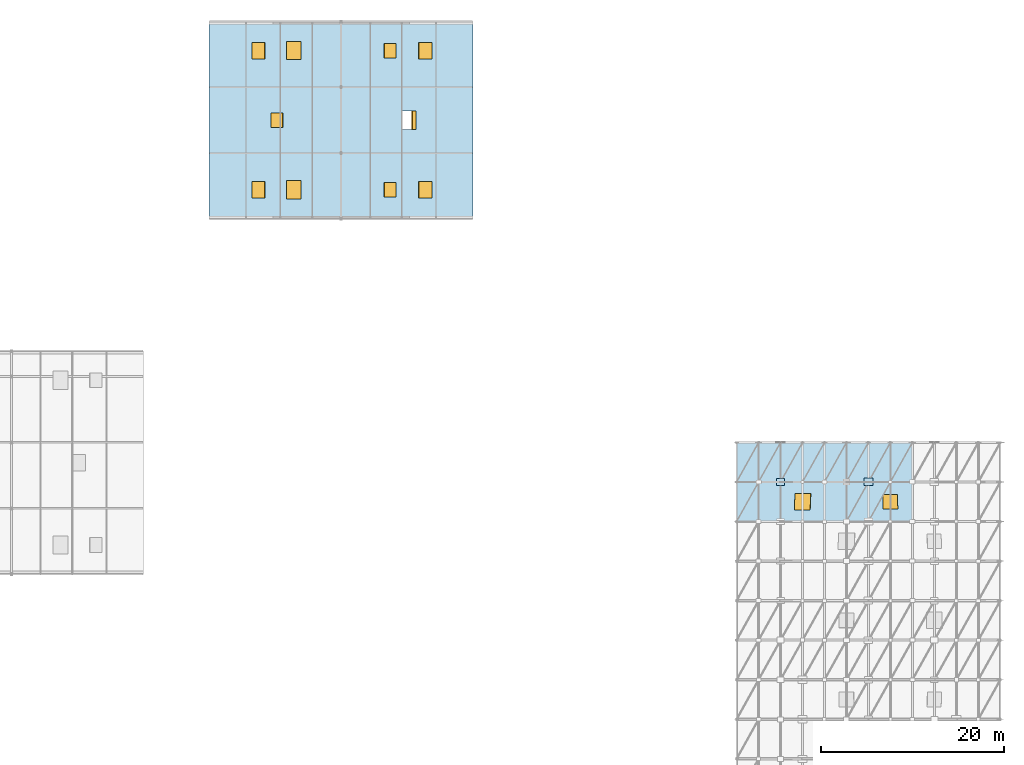
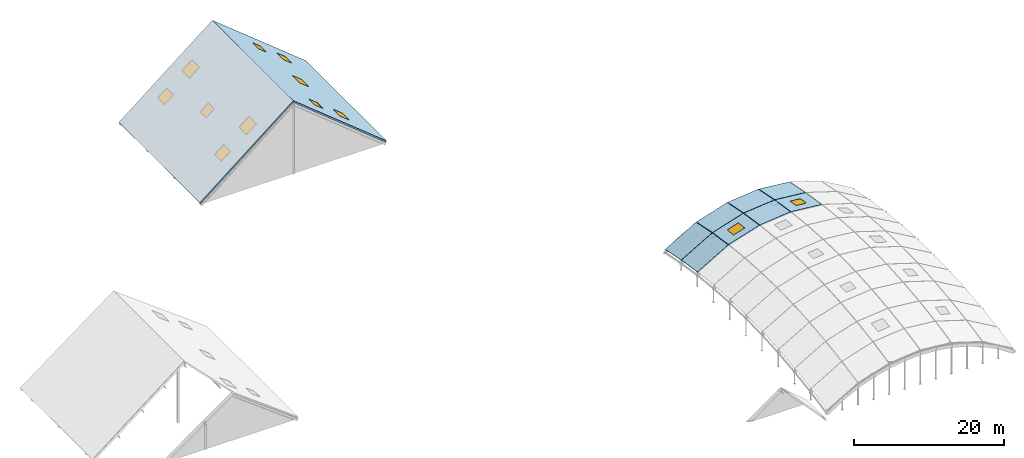
# One storey, part 24 of 35: 12 windows, 10 slabs, 2 plates, 12 openings.
"""IFC4 building model written with IfcOpenShell, lengths in metres."""

from ifc_helpers import new_model, si_unit, direction, frame, origin, origin_2d, place, context, subcontext, project, spatial, polyline, rectangle, outline, extrude, material, layer, layer_set, type_object, element, fill, save


model = new_model("IFC4")

# Units and contexts
model_context = context("Model", 3, precision=1e-05, world=origin(), true_north=direction((0.0, 1.0)))
body_context = subcontext(model_context, "Body", "Model", "MODEL_VIEW")
ifc_project = project(units=[si_unit("LENGTHUNIT", "METRE"), si_unit("AREAUNIT", "SQUARE_METRE"), si_unit("VOLUMEUNIT", "CUBIC_METRE"), si_unit("PLANEANGLEUNIT", "RADIAN"), si_unit("MASSUNIT", "GRAM", prefix="KILO")], contexts=[model_context])

# Site, building, storey
site_placement = place(None, origin())
site = spatial("IfcSite", under=ifc_project, at=site_placement, CompositionType="ELEMENT")
building_placement = place(site_placement, origin())
building = spatial("IfcBuilding", under=site, at=building_placement, Name="Zarrinpeak Specialist Clinic", CompositionType="ELEMENT")
storey_placement = place(building_placement, frame((0.0, 0.0, 31.60009765625)))
storey = spatial("IfcBuildingStorey", under=building, at=storey_placement, Name="RF", CompositionType="ELEMENT", Elevation=31.60009765625)

# Plates
ifc_material_1 = material(Name="Steel S355", Category="steel")
ifc_layer_1 = layer(ifc_material_1, 0.02099609375)
ifc_layer_set_1 = layer_set([ifc_layer_1], Name="Steel S355")
plate_type_1 = type_object("IfcPlateType", Name="PL-ND28", PredefinedType="SHEET", material=ifc_layer_set_1)
plate_1_placement = place(storey_placement, frame((98.39990234375, 67.679931640625, -13.9501953125), z_axis=(0.0, 0.0, 1.0), x_axis=(1.0, 0.0, 0.0)))
element("IfcPlate", 1, at=plate_1_placement, inside=storey, type_object=plate_type_1, Name="V3 Gridshell Hub Node Plate GSN-I02-J09", PredefinedType="SHEET", context=body_context, shape_type="SweptSolid", body=[
    extrude(rectangle(XDim=0.8779296875, YDim=0.716064453125, at=origin_2d()), origin(), (0.0, 0.0, 1.0), 0.02099609375),
])
ifc_layer_2 = layer(ifc_material_1, 0.02294921875)
ifc_layer_set_2 = layer_set([ifc_layer_2], Name="Steel S355")
plate_type_2 = type_object("IfcPlateType", Name="PL-ND34", PredefinedType="SHEET", material=ifc_layer_set_2)
plate_2_placement = place(storey_placement, frame((108.0, 67.679931640625, -11.947509765625), z_axis=(0.0, 0.0, 1.0), x_axis=(1.0, 0.0, 0.0)))
element("IfcPlate", 2, at=plate_2_placement, inside=storey, type_object=plate_type_2, Name="V3 Gridshell Hub Node Plate GSN-I06-J09", PredefinedType="SHEET", context=body_context, shape_type="SweptSolid", body=[
    extrude(rectangle(XDim=1.00390625, YDim=0.818115234375, at=origin_2d()), origin(), (0.0, 0.0, 1.0), 0.02294921875),
])

# Slab, opening, window
ifc_material_2 = material(Name="Precast concrete C40/50", Category="concrete")
ifc_layer_3 = layer(ifc_material_2, 0.1650390625)
ifc_layer_set_3 = layer_set([ifc_layer_3], Name="Precast concrete C40/50")
slab_type_1 = type_object("IfcSlabType", Name="SL-GS165", PredefinedType="ROOF", material=ifc_layer_set_3)
slab_1_placement = place(storey_placement, frame((98.431884765625, 63.3720703125, -12.7353515625), z_axis=(-0.298336454683, 0.146725332873, 0.943115600815), x_axis=(0.953434513091, 3.400593e-06, 0.301600114779)))
slab_1 = element("IfcSlab", 3, at=slab_1_placement, inside=storey, type_object=slab_type_1, Name="V3 Translational Gridshell Vault Roof Panel K01-J08", PredefinedType="ROOF", context=body_context, shape_type="SweptSolid", body=[
    extrude(outline(polyline([(0.0, 0.0), (4.967357037046617, -2.7755575615628914e-17), (4.765838561141658, 4.342884081244538), (-0.2015921087454809, 4.342918235055775), (0.0, 0.0)])), origin(), (0.0, 0.0, -1.0), 0.1650390625),
])
opening_1_placement = place(slab_1_placement, frame((2.383056640625, 2.17138671875, 0.0)))
opening_1 = element("IfcOpeningElement", 4, at=opening_1_placement, cuts=slab_1, Name="Opening SK-03", PredefinedType="OPENING", context=body_context, shape_type="SweptSolid", body=[
    extrude(rectangle(XDim=1.800048828125, YDim=1.800048828125, at=origin_2d()), frame((0.0, 0.0, 0.010009765625), z_axis=(0.0, 0.0, 1.0), x_axis=(1.0, 0.0, 0.0)), (0.0, 0.0, -1.0), 0.18505859375),
])
ifc_material_3 = material(Name="Thermally Broken Aluminium and Low-E Glazing", Category="aluminium")
window_type_1 = type_object("IfcWindowType", Name="WN-SKY180", PartitioningType="SINGLE_PANEL", PredefinedType="SKYLIGHT", material=ifc_material_3)
window_1_placement = place(opening_1_placement, frame((0.0, 0.0, -0.0048828125)))
window_1 = element("IfcWindow", 5, at=window_1_placement, inside=storey, type_object=window_type_1, Name="V3 Gridshell Vault Skylight SKY-GS-053", OverallHeight=1.800048828125, OverallWidth=1.800048828125, PartitioningType="SINGLE_PANEL", PredefinedType="SKYLIGHT", context=body_context, shape_type="SweptSolid", body=[
    extrude(rectangle(XDim=1.800048828125, YDim=1.800048828125, at=origin_2d()), origin(), (0.0, 0.0, -1.0), 0.06005859375),
])
fill(opening_1, window_1)

# Slabs
slab_2_placement = place(storey_placement, frame((98.431884765625, 67.69189453125, -13.407958984375), z_axis=(-0.296285619767, 0.187289929447, 0.936556092205), x_axis=(0.953427294255, 0.0, 0.301622934422)))
element("IfcSlab", 6, at=slab_2_placement, inside=storey, type_object=slab_type_1, Name="V3 Translational Gridshell Vault Roof Panel K01-J09", PredefinedType="ROOF", context=body_context, shape_type="SweptSolid", body=[
    extrude(outline(polyline([(0.0, 0.0), (4.9674306713386525, 0.0), (4.7082971004818175, 4.373533660275629), (-0.2591335708568345, 4.373533660275629), (0.0, 0.0)])), origin(), (0.0, 0.0, -1.0), 0.1650390625),
])
slab_3_placement = place(storey_placement, frame((103.23193359375, 63.3720703125, -11.22412109375), z_axis=(-0.099316237718, 0.152965858718, 0.98322821918), x_axis=(0.994937103117, -3.856861e-06, 0.100499556347)))
element("IfcSlab", 7, at=slab_3_placement, inside=storey, type_object=slab_type_1, Name="V3 Translational Gridshell Vault Roof Panel K02-J08", PredefinedType="ROOF", context=body_context, shape_type="SweptSolid", body=[
    extrude(outline(polyline([(0.0, 0.0), (4.760196287551281, 0.0), (4.6930000837885855, 4.347075205668389), (-0.06717166773819694, 4.347038049656353), (0.0, 0.0)])), origin(), (0.0, 0.0, -1.0), 0.1650390625),
])
slab_4_placement = place(storey_placement, frame((103.23193359375, 67.69189453125, -11.896484375), z_axis=(-0.098540940428, 0.19519362931, 0.975801788344), x_axis=(0.994939726955, 0.0, 0.100473577252)))
element("IfcSlab", 8, at=slab_4_placement, inside=storey, type_object=slab_type_1, Name="V3 Translational Gridshell Vault Roof Panel K02-J09", PredefinedType="ROOF", context=body_context, shape_type="SweptSolid", body=[
    extrude(outline(polyline([(0.0, 0.0), (4.760171753184925, 0.0), (4.6738272727342425, 4.380400789071614), (-0.08634448045068226, 4.380400789071614), (0.0, 0.0)])), origin(), (0.0, 0.0, -1.0), 0.1650390625),
])

# Slab, opening, window
slab_5_placement = place(storey_placement, frame((108.031982421875, 63.3720703125, -10.74560546875), z_axis=(0.099316237718, 0.152965858718, 0.98322821918), x_axis=(0.994937103117, 3.856861e-06, -0.100499556347)))
slab_5 = element("IfcSlab", 9, at=slab_5_placement, inside=storey, type_object=slab_type_1, Name="V3 Translational Gridshell Vault Roof Panel K03-J08", PredefinedType="ROOF", context=body_context, shape_type="SweptSolid", body=[
    extrude(outline(polyline([(0.0, 0.0), (4.760196287551281, 0.0), (4.827367955289478, 4.347038049656354), (0.0671962037626957, 4.347075205668389), (0.0, 0.0)])), origin(), (0.0, 0.0, -1.0), 0.1650390625),
])
opening_2_placement = place(slab_5_placement, frame((2.41357421875, 2.173583984375, 0.0)))
opening_2 = element("IfcOpeningElement", 10, at=opening_2_placement, cuts=slab_5, Name="Opening SK-01", PredefinedType="OPENING", context=body_context, shape_type="SweptSolid", body=[
    extrude(rectangle(XDim=1.60009765625, YDim=1.60009765625, at=origin_2d()), frame((0.0, 0.0, 0.010009765625), z_axis=(0.0, 0.0, 1.0), x_axis=(1.0, 0.0, 0.0)), (0.0, 0.0, -1.0), 0.18505859375),
])
window_type_2 = type_object("IfcWindowType", Name="WN-SKY160", PartitioningType="SINGLE_PANEL", PredefinedType="SKYLIGHT", material=ifc_material_3)
window_2_placement = place(opening_2_placement, frame((0.0, 0.0, -0.0048828125)))
window_2 = element("IfcWindow", 11, at=window_2_placement, inside=storey, type_object=window_type_2, Name="V3 Gridshell Vault Skylight SKY-GS-058", OverallHeight=1.60009765625, OverallWidth=1.60009765625, PartitioningType="SINGLE_PANEL", PredefinedType="SKYLIGHT", context=body_context, shape_type="SweptSolid", body=[
    extrude(rectangle(XDim=1.60009765625, YDim=1.60009765625, at=origin_2d()), origin(), (0.0, 0.0, -1.0), 0.06005859375),
])
fill(opening_2, window_2)

# Slabs
slab_6_placement = place(storey_placement, frame((108.031982421875, 67.69189453125, -11.418212890625), z_axis=(0.098540940428, 0.19519362931, 0.975801788344), x_axis=(0.994939726955, 0.0, -0.100473577252)))
element("IfcSlab", 12, at=slab_6_placement, inside=storey, type_object=slab_type_1, Name="V3 Translational Gridshell Vault Roof Panel K03-J09", PredefinedType="ROOF", context=body_context, shape_type="SweptSolid", body=[
    extrude(outline(polyline([(0.0, 0.0), (4.760171753184925, 0.0), (4.846516233635607, 4.380400789071614), (0.08634448045068226, 4.380400789071614), (0.0, 0.0)])), origin(), (0.0, 0.0, -1.0), 0.1650390625),
])
ifc_layer_4 = layer(ifc_material_2, 0.179931640625)
ifc_layer_set_4 = layer_set([ifc_layer_4], Name="Precast concrete C40/50")
slab_type_2 = type_object("IfcSlabType", Name="SL-GS180", PredefinedType="ROOF", material=ifc_layer_set_4)
slab_7_placement = place(storey_placement, frame((93.632080078125, 63.3720703125, -15.521728515625), z_axis=(-0.498818644652, 0.13323521209, 0.85640430756), x_axis=(0.864108140289, -2.541407e-06, 0.50330619098)))
element("IfcSlab", 13, at=slab_7_placement, inside=storey, type_object=slab_type_2, Name="V3 Translational Gridshell Vault Roof Panel K00-J08", PredefinedType="ROOF", context=body_context, shape_type="SweptSolid", body=[
    extrude(outline(polyline([(0.0, 0.0), (5.4806704973683145, 0.0), (5.14422101750945, 4.33455648532999), (-0.33632660237083195, 4.3345283778193355), (0.0, 0.0)])), origin(), (0.0, 0.0, -1.0), 0.179931640625),
])
slab_8_placement = place(storey_placement, frame((93.632080078125, 67.69189453125, -16.1943359375), z_axis=(-0.495953568903, 0.170301910626, 0.851485359081), x_axis=(0.864108031301, -3.229781e-06, 0.503306378094)))
element("IfcSlab", 14, at=slab_8_placement, inside=storey, type_object=slab_type_2, Name="V3 Translational Gridshell Vault Roof Panel K00-J09", PredefinedType="ROOF", context=body_context, shape_type="SweptSolid", body=[
    extrude(outline(polyline([(0.0, 0.0), (5.480670497379735, 5.551115123125783e-17), (5.048127703105575, 4.359847837083454), (-0.43241991674044533, 4.359811909923567), (0.0, 0.0)])), origin(), (0.0, 0.0, -1.0), 0.179931640625),
])

# Slab, openings, windows
ifc_material_4 = material(Name="Concrete C35/45", Category="concrete")
ifc_layer_5 = layer(ifc_material_4, 0.219970703125)
ifc_layer_set_5 = layer_set([ifc_layer_5], Name="Concrete C35/45")
slab_type_3 = type_object("IfcSlabType", Name="SL-ROOF220", PredefinedType="ROOF", material=ifc_layer_set_5)
slab_9_placement = place(storey_placement, frame((36.0, 96.39990234375, -4.11767578125), z_axis=(-0.627335320806, 0.0, 0.778749250574), x_axis=(0.778749250574, 0.0, 0.627335320806)))
slab_9 = element("IfcSlab", 15, at=slab_9_placement, inside=storey, type_object=slab_type_3, Name="V6 West Pitched Gable Roof Slab", PredefinedType="ROOF", context=body_context, shape_type="SweptSolid", body=[
    extrude(outline(polyline([(0.0, 0.0), (18.49106414309554, 0.0), (18.49106414309554, 21.60009765625), (0.0, 21.60009765625), (0.0, 0.0)])), origin(), (0.0, 0.0, -1.0), 0.219970703125),
])
opening_3_placement = place(slab_9_placement, frame((6.8828125, 3.2001953125, 0.0)))
opening_3 = element("IfcOpeningElement", 16, at=opening_3_placement, cuts=slab_9, Name="Opening SK-03", PredefinedType="OPENING", context=body_context, shape_type="SweptSolid", body=[
    extrude(rectangle(XDim=1.800048828125, YDim=1.800048828125, at=origin_2d()), frame((0.0, 0.0, 0.010009765625), z_axis=(0.0, 0.0, 1.0), x_axis=(1.0, 0.0, 0.0)), (0.0, 0.0, -1.0), 0.239990234375),
])
opening_4_placement = place(slab_9_placement, frame((11.8447265625, 3.2001953125, 0.0)))
opening_4 = element("IfcOpeningElement", 17, at=opening_4_placement, cuts=slab_9, Name="Opening SK-02", PredefinedType="OPENING", context=body_context, shape_type="SweptSolid", body=[
    extrude(rectangle(XDim=2.0, YDim=2.0, at=origin_2d()), frame((0.0, 0.0, 0.010009765625), z_axis=(0.0, 0.0, 1.0), x_axis=(1.0, 0.0, 0.0)), (0.0, 0.0, -1.0), 0.239990234375),
])
opening_5_placement = place(slab_9_placement, frame((9.48193359375, 10.800048828125, 0.0)))
opening_5 = element("IfcOpeningElement", 18, at=opening_5_placement, cuts=slab_9, Name="Opening SK-01", PredefinedType="OPENING", context=body_context, shape_type="SweptSolid", body=[
    extrude(rectangle(XDim=1.60009765625, YDim=1.60009765625, at=origin_2d()), frame((0.0, 0.0, 0.010009765625), z_axis=(0.0, 0.0, 1.0), x_axis=(1.0, 0.0, 0.0)), (0.0, 0.0, -1.0), 0.239990234375),
])
opening_6_placement = place(slab_9_placement, frame((6.8828125, 18.400146484375, 0.0)))
opening_6 = element("IfcOpeningElement", 19, at=opening_6_placement, cuts=slab_9, Name="Opening SK-03", PredefinedType="OPENING", context=body_context, shape_type="SweptSolid", body=[
    extrude(rectangle(XDim=1.800048828125, YDim=1.800048828125, at=origin_2d()), frame((0.0, 0.0, 0.010009765625), z_axis=(0.0, 0.0, 1.0), x_axis=(1.0, 0.0, 0.0)), (0.0, 0.0, -1.0), 0.239990234375),
])
opening_7_placement = place(slab_9_placement, frame((11.8447265625, 18.400146484375, 0.0)))
opening_7 = element("IfcOpeningElement", 20, at=opening_7_placement, cuts=slab_9, Name="Opening SK-02", PredefinedType="OPENING", context=body_context, shape_type="SweptSolid", body=[
    extrude(rectangle(XDim=2.0, YDim=2.0, at=origin_2d()), frame((0.0, 0.0, 0.010009765625), z_axis=(0.0, 0.0, 1.0), x_axis=(1.0, 0.0, 0.0)), (0.0, 0.0, -1.0), 0.239990234375),
])
window_3_placement = place(opening_5_placement, frame((0.0, 0.0, -0.0048828125)))
window_3 = element("IfcWindow", 21, at=window_3_placement, inside=storey, type_object=window_type_2, Name="V6 Scattered Square Roof Skylight SKY-RF-045", OverallHeight=1.60009765625, OverallWidth=1.60009765625, PartitioningType="SINGLE_PANEL", PredefinedType="SKYLIGHT", context=body_context, shape_type="SweptSolid", body=[
    extrude(rectangle(XDim=1.60009765625, YDim=1.60009765625, at=origin_2d()), origin(), (0.0, 0.0, -1.0), 0.06005859375),
])
fill(opening_5, window_3)
window_4_placement = place(opening_3_placement, frame((0.0, 0.0, -0.0048828125)))
window_4 = element("IfcWindow", 22, at=window_4_placement, inside=storey, type_object=window_type_1, Name="V6 Scattered Square Roof Skylight SKY-RF-043", OverallHeight=1.800048828125, OverallWidth=1.800048828125, PartitioningType="SINGLE_PANEL", PredefinedType="SKYLIGHT", context=body_context, shape_type="SweptSolid", body=[
    extrude(rectangle(XDim=1.800048828125, YDim=1.800048828125, at=origin_2d()), origin(), (0.0, 0.0, -1.0), 0.06005859375),
])
fill(opening_3, window_4)
window_5_placement = place(opening_6_placement, frame((0.0, 0.0, -0.0048828125)))
window_5 = element("IfcWindow", 23, at=window_5_placement, inside=storey, type_object=window_type_1, Name="V6 Scattered Square Roof Skylight SKY-RF-046", OverallHeight=1.800048828125, OverallWidth=1.800048828125, PartitioningType="SINGLE_PANEL", PredefinedType="SKYLIGHT", context=body_context, shape_type="SweptSolid", body=[
    extrude(rectangle(XDim=1.800048828125, YDim=1.800048828125, at=origin_2d()), origin(), (0.0, 0.0, -1.0), 0.06005859375),
])
fill(opening_6, window_5)
window_type_3 = type_object("IfcWindowType", Name="WN-SKY200", PartitioningType="SINGLE_PANEL", PredefinedType="SKYLIGHT", material=ifc_material_3)
window_6_placement = place(opening_4_placement, frame((0.0, 0.0, -0.0048828125)))
window_6 = element("IfcWindow", 24, at=window_6_placement, inside=storey, type_object=window_type_3, Name="V6 Scattered Square Roof Skylight SKY-RF-044", OverallHeight=2.0, OverallWidth=2.0, PartitioningType="SINGLE_PANEL", PredefinedType="SKYLIGHT", context=body_context, shape_type="SweptSolid", body=[
    extrude(rectangle(XDim=2.0, YDim=2.0, at=origin_2d()), origin(), (0.0, 0.0, -1.0), 0.06005859375),
])
fill(opening_4, window_6)
window_7_placement = place(opening_7_placement, frame((0.0, 0.0, -0.0048828125)))
window_7 = element("IfcWindow", 25, at=window_7_placement, inside=storey, type_object=window_type_3, Name="V6 Scattered Square Roof Skylight SKY-RF-047", OverallHeight=2.0, OverallWidth=2.0, PartitioningType="SINGLE_PANEL", PredefinedType="SKYLIGHT", context=body_context, shape_type="SweptSolid", body=[
    extrude(rectangle(XDim=2.0, YDim=2.0, at=origin_2d()), origin(), (0.0, 0.0, -1.0), 0.06005859375),
])
fill(opening_7, window_7)

slab_10_placement = place(storey_placement, frame((50.39990234375, 96.39990234375, 7.482421875), z_axis=(0.627328870616, 0.0, 0.778754446595), x_axis=(0.778754446595, 0.0, -0.627328870616)))
slab_10 = element("IfcSlab", 26, at=slab_10_placement, inside=storey, type_object=slab_type_3, Name="V6 East Pitched Gable Roof Slab", PredefinedType="ROOF", context=body_context, shape_type="SweptSolid", body=[
    extrude(outline(polyline([(0.0, 0.0), (18.491254268058576, 0.0), (18.491254268058576, 21.60009765625), (0.0, 21.60009765625), (0.0, 0.0)])), origin(), (0.0, 0.0, -1.0), 0.219970703125),
])
opening_8_placement = place(slab_10_placement, frame((6.8828125, 3.2001953125, 0.0)))
opening_8 = element("IfcOpeningElement", 27, at=opening_8_placement, cuts=slab_10, Name="Opening SK-01", PredefinedType="OPENING", context=body_context, shape_type="SweptSolid", body=[
    extrude(rectangle(XDim=1.60009765625, YDim=1.60009765625, at=origin_2d()), frame((0.0, 0.0, 0.010009765625), z_axis=(0.0, 0.0, 1.0), x_axis=(1.0, 0.0, 0.0)), (0.0, 0.0, -1.0), 0.239990234375),
])
opening_9_placement = place(slab_10_placement, frame((11.8447265625, 3.2001953125, 0.0)))
opening_9 = element("IfcOpeningElement", 28, at=opening_9_placement, cuts=slab_10, Name="Opening SK-03", PredefinedType="OPENING", context=body_context, shape_type="SweptSolid", body=[
    extrude(rectangle(XDim=1.800048828125, YDim=1.800048828125, at=origin_2d()), frame((0.0, 0.0, 0.010009765625), z_axis=(0.0, 0.0, 1.0), x_axis=(1.0, 0.0, 0.0)), (0.0, 0.0, -1.0), 0.239990234375),
])
opening_10_placement = place(slab_10_placement, frame((9.48193359375, 10.800048828125, 0.0)))
opening_10 = element("IfcOpeningElement", 29, at=opening_10_placement, cuts=slab_10, Name="Opening SK-02", PredefinedType="OPENING", context=body_context, shape_type="SweptSolid", body=[
    extrude(rectangle(XDim=2.0, YDim=2.0, at=origin_2d()), frame((0.0, 0.0, 0.010009765625), z_axis=(0.0, 0.0, 1.0), x_axis=(1.0, 0.0, 0.0)), (0.0, 0.0, -1.0), 0.239990234375),
])
opening_11_placement = place(slab_10_placement, frame((6.8828125, 18.400146484375, 0.0)))
opening_11 = element("IfcOpeningElement", 30, at=opening_11_placement, cuts=slab_10, Name="Opening SK-01", PredefinedType="OPENING", context=body_context, shape_type="SweptSolid", body=[
    extrude(rectangle(XDim=1.60009765625, YDim=1.60009765625, at=origin_2d()), frame((0.0, 0.0, 0.010009765625), z_axis=(0.0, 0.0, 1.0), x_axis=(1.0, 0.0, 0.0)), (0.0, 0.0, -1.0), 0.239990234375),
])
opening_12_placement = place(slab_10_placement, frame((11.8447265625, 18.400146484375, 0.0)))
opening_12 = element("IfcOpeningElement", 31, at=opening_12_placement, cuts=slab_10, Name="Opening SK-03", PredefinedType="OPENING", context=body_context, shape_type="SweptSolid", body=[
    extrude(rectangle(XDim=1.800048828125, YDim=1.800048828125, at=origin_2d()), frame((0.0, 0.0, 0.010009765625), z_axis=(0.0, 0.0, 1.0), x_axis=(1.0, 0.0, 0.0)), (0.0, 0.0, -1.0), 0.239990234375),
])
window_8_placement = place(opening_8_placement, frame((0.0, 0.0, -0.0048828125)))
window_8 = element("IfcWindow", 32, at=window_8_placement, inside=storey, type_object=window_type_2, Name="V6 Scattered Square Roof Skylight SKY-RF-048", OverallHeight=1.60009765625, OverallWidth=1.60009765625, PartitioningType="SINGLE_PANEL", PredefinedType="SKYLIGHT", context=body_context, shape_type="SweptSolid", body=[
    extrude(rectangle(XDim=1.60009765625, YDim=1.60009765625, at=origin_2d()), origin(), (0.0, 0.0, -1.0), 0.06005859375),
])
fill(opening_8, window_8)
window_9_placement = place(opening_11_placement, frame((0.0, 0.0, -0.0048828125)))
window_9 = element("IfcWindow", 33, at=window_9_placement, inside=storey, type_object=window_type_2, Name="V6 Scattered Square Roof Skylight SKY-RF-051", OverallHeight=1.60009765625, OverallWidth=1.60009765625, PartitioningType="SINGLE_PANEL", PredefinedType="SKYLIGHT", context=body_context, shape_type="SweptSolid", body=[
    extrude(rectangle(XDim=1.60009765625, YDim=1.60009765625, at=origin_2d()), origin(), (0.0, 0.0, -1.0), 0.06005859375),
])
fill(opening_11, window_9)
window_10_placement = place(opening_9_placement, frame((0.0, 0.0, -0.0048828125)))
window_10 = element("IfcWindow", 34, at=window_10_placement, inside=storey, type_object=window_type_1, Name="V6 Scattered Square Roof Skylight SKY-RF-049", OverallHeight=1.800048828125, OverallWidth=1.800048828125, PartitioningType="SINGLE_PANEL", PredefinedType="SKYLIGHT", context=body_context, shape_type="SweptSolid", body=[
    extrude(rectangle(XDim=1.800048828125, YDim=1.800048828125, at=origin_2d()), origin(), (0.0, 0.0, -1.0), 0.06005859375),
])
fill(opening_9, window_10)
window_11_placement = place(opening_12_placement, frame((0.0, 0.0, -0.0048828125)))
window_11 = element("IfcWindow", 35, at=window_11_placement, inside=storey, type_object=window_type_1, Name="V6 Scattered Square Roof Skylight SKY-RF-052", OverallHeight=1.800048828125, OverallWidth=1.800048828125, PartitioningType="SINGLE_PANEL", PredefinedType="SKYLIGHT", context=body_context, shape_type="SweptSolid", body=[
    extrude(rectangle(XDim=1.800048828125, YDim=1.800048828125, at=origin_2d()), origin(), (0.0, 0.0, -1.0), 0.06005859375),
])
fill(opening_12, window_11)
window_12_placement = place(opening_10_placement, frame((0.0, 0.0, -0.0048828125)))
window_12 = element("IfcWindow", 36, at=window_12_placement, inside=storey, type_object=window_type_3, Name="V6 Scattered Square Roof Skylight SKY-RF-050", OverallHeight=2.0, OverallWidth=2.0, PartitioningType="SINGLE_PANEL", PredefinedType="SKYLIGHT", context=body_context, shape_type="SweptSolid", body=[
    extrude(rectangle(XDim=2.0, YDim=2.0, at=origin_2d()), origin(), (0.0, 0.0, -1.0), 0.06005859375),
])
fill(opening_10, window_12)

save(model, "model.ifc")
